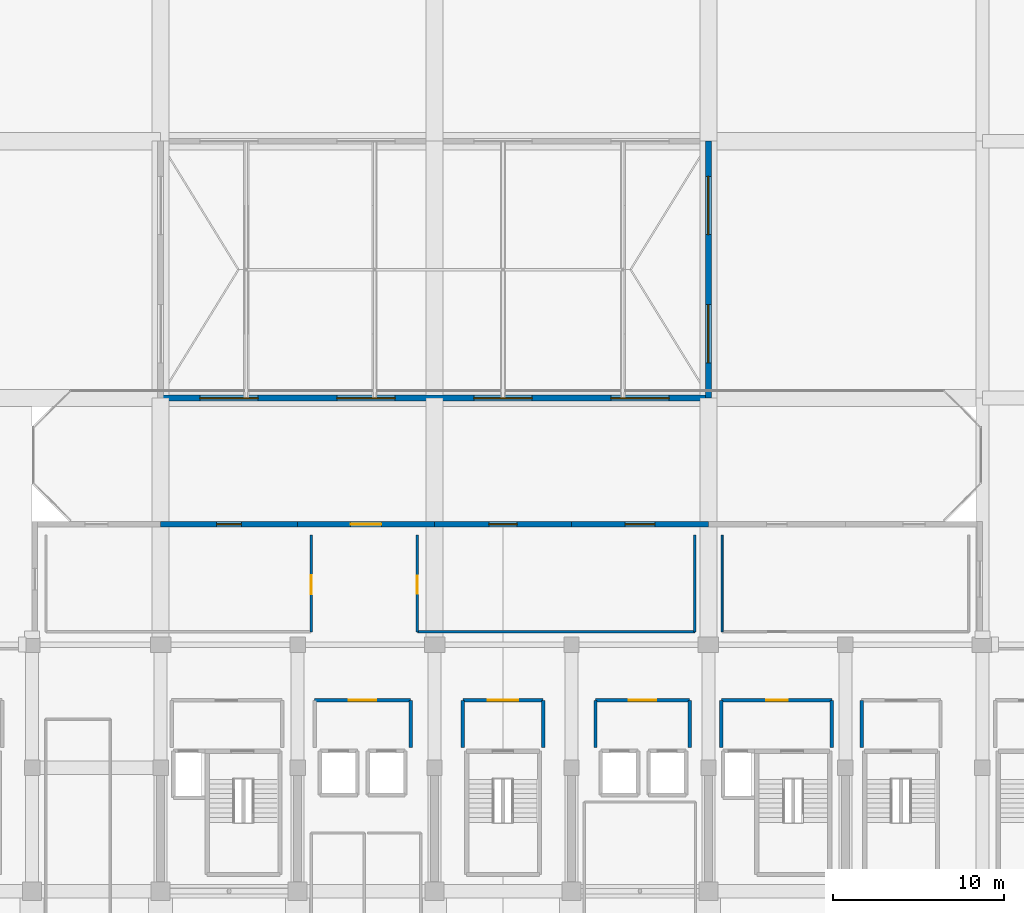
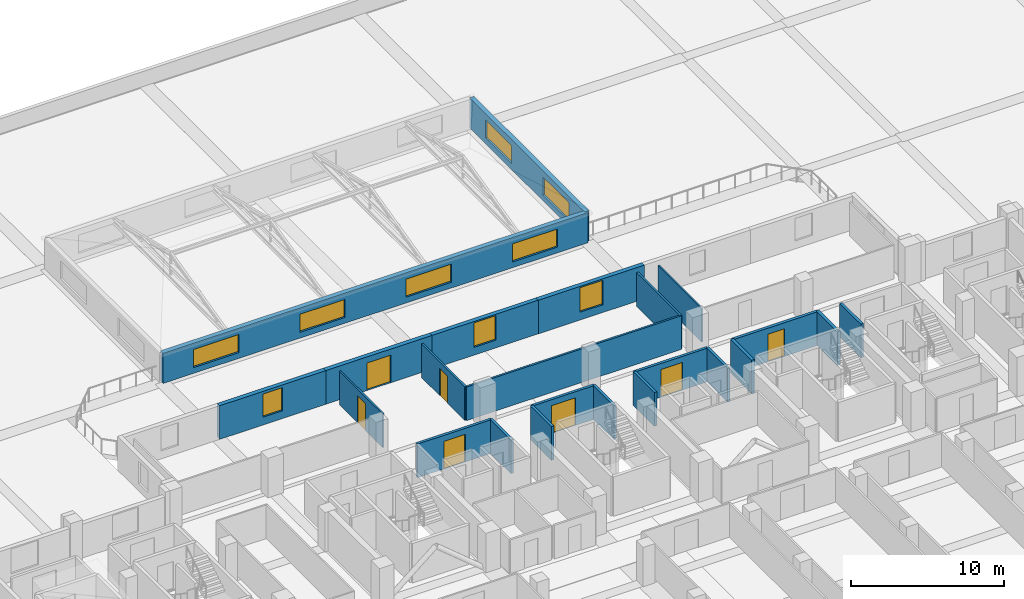
# One storey, part 41 of 49: 23 walls, 9 windows, 7 doors, 16 openings.
"""IFC4 building model written with IfcOpenShell, lengths in metres."""

from ifc_helpers import new_model, si_unit, direction, frame, frame_2d, origin, place, context, subcontext, project, spatial, rectangle, extrude, material, layer, layer_set, type_object, element, fill, save


model = new_model("IFC4")

# Units and contexts
model_context = context("Model", 3, precision=1e-05, world=origin(), true_north=direction((0.0, 1.0)))
body_context = subcontext(model_context, "Body", "Model", "MODEL_VIEW")
ifc_project = project(units=[si_unit("LENGTHUNIT", "METRE"), si_unit("AREAUNIT", "SQUARE_METRE"), si_unit("VOLUMEUNIT", "CUBIC_METRE"), si_unit("PLANEANGLEUNIT", "RADIAN"), si_unit("MASSUNIT", "GRAM", prefix="KILO")], contexts=[model_context])

# Site, building, storey
site_placement = place(None, origin())
site = spatial("IfcSite", under=ifc_project, at=site_placement, CompositionType="ELEMENT")
building_placement = place(site_placement, origin())
building = spatial("IfcBuilding", under=site, at=building_placement, Name="Akrevak Sports Hall", CompositionType="ELEMENT")
storey_placement = place(building_placement, frame((0.0, 0.0, 24.14990234375)))
storey = spatial("IfcBuildingStorey", under=building, at=storey_placement, Name="L04", CompositionType="ELEMENT", Elevation=24.14990234375)

# Wall, opening, window
ifc_material_1 = material(Name="Limestone Ashlar", Category="stone")
ifc_layer_1 = layer(ifc_material_1, 0.070068359375, Name="Limestone Ashlar")
ifc_material_2 = material(Name="Mineral Wool Thermal Insulation", Category="insulation")
ifc_layer_2 = layer(ifc_material_2, 0.090087890625, Name="Mineral Wool Thermal Insulation")
ifc_material_3 = material(Name="Concrete C40/50", Category="concrete")
ifc_layer_3 = layer(ifc_material_3, 0.159912109375, Name="Concrete C40/50")
ifc_layer_set_1 = layer_set([ifc_layer_1, ifc_layer_2, ifc_layer_3], Name="Limestone Ashlar / Mineral Wool Thermal Insulation / Concrete C40/50")
wall_type_1 = type_object("IfcWallType", Name="ARC-WL-EXT-320", PredefinedType="SOLIDWALL", material=ifc_layer_set_1)
wall_1_placement = place(storey_placement, frame((92.0, 76.639892578125, 0.0), z_axis=(0.0, 0.0, 1.0), x_axis=(-1.0, 0.0, 0.0)))
wall_1 = element("IfcWall", 1, at=wall_1_placement, inside=storey, type_object=wall_type_1, Name="Tower Stone Facade Wall L04-N22", PredefinedType="SOLIDWALL", context=body_context, shape_type="SweptSolid", body=[
    extrude(rectangle(XDim=8.0, YDim=0.320068359375, at=frame_2d((4.0, 0.0))), origin(), (0.0, 0.0, 1.0), 2.68017578125),
])
opening_1_placement = place(wall_1_placement, frame((3.125, 0.0, 0.6201171875)))
opening_1 = element("IfcOpeningElement", 2, at=opening_1_placement, cuts=wall_1, Name="Opening WN-15", PredefinedType="OPENING", context=body_context, shape_type="SweptSolid", body=[
    extrude(rectangle(XDim=1.75, YDim=1.949951171875, at=frame_2d((0.875, 0.97509765625))), frame((0.0, 0.171875, 0.0), z_axis=(0.0, -1.0, 0.0), x_axis=(1.0, 0.0, 0.0)), (0.0, 0.0, 1.0), 0.343994140625),
])
ifc_material_4 = material(Name="Thermally Broken Bronze Frame & Double Low-E Glass", Category="glass")
window_type_1 = type_object("IfcWindowType", Name="ARC-WIN-TW-175x195", PartitioningType="SINGLE_PANEL", PredefinedType="WINDOW", material=ifc_material_4)
window_1_placement = place(opening_1_placement, origin())
window_1 = element("IfcWindow", 3, at=window_1_placement, inside=storey, type_object=window_type_1, Name="Tower Window L04-N22", OverallHeight=1.949951171875, OverallWidth=1.75, PartitioningType="SINGLE_PANEL", PredefinedType="WINDOW", context=body_context, shape_type="SweptSolid", body=[
    extrude(rectangle(XDim=1.75, YDim=1.949951171875, at=frame_2d((0.875, 0.97509765625))), frame((0.0, 0.030029296875, 0.0), z_axis=(0.0, -1.0, 0.0), x_axis=(1.0, 0.0, 0.0)), (0.0, 0.0, 1.0), 0.06005859375),
])
fill(opening_1, window_1)

wall_2_placement = place(storey_placement, frame((84.0, 76.639892578125, 0.0), z_axis=(0.0, 0.0, 1.0), x_axis=(-1.0, 0.0, 0.0)))
wall_2 = element("IfcWall", 4, at=wall_2_placement, inside=storey, type_object=wall_type_1, Name="Tower Stone Facade Wall L04-N23", PredefinedType="SOLIDWALL", context=body_context, shape_type="SweptSolid", body=[
    extrude(rectangle(XDim=8.0, YDim=0.320068359375, at=frame_2d((4.0, 0.0))), origin(), (0.0, 0.0, 1.0), 2.68017578125),
])
opening_2_placement = place(wall_2_placement, frame((3.175048828125, 0.0, 0.6201171875)))
opening_2 = element("IfcOpeningElement", 5, at=opening_2_placement, cuts=wall_2, Name="Opening WN-16", PredefinedType="OPENING", context=body_context, shape_type="SweptSolid", body=[
    extrude(rectangle(XDim=1.64990234375, YDim=1.949951171875, at=frame_2d((0.824951171875, 0.97509765625))), frame((0.0, 0.171875, 0.0), z_axis=(0.0, -1.0, 0.0), x_axis=(1.0, 0.0, 0.0)), (0.0, 0.0, 1.0), 0.343994140625),
])
window_type_2 = type_object("IfcWindowType", Name="ARC-WIN-TW-165x195", PartitioningType="SINGLE_PANEL", PredefinedType="WINDOW", material=ifc_material_4)
window_2_placement = place(opening_2_placement, origin())
window_2 = element("IfcWindow", 6, at=window_2_placement, inside=storey, type_object=window_type_2, Name="Tower Window L04-N23", OverallHeight=1.949951171875, OverallWidth=1.64990234375, PartitioningType="SINGLE_PANEL", PredefinedType="WINDOW", context=body_context, shape_type="SweptSolid", body=[
    extrude(rectangle(XDim=1.64990234375, YDim=1.949951171875, at=frame_2d((0.824951171875, 0.97509765625))), frame((0.0, 0.030029296875, 0.0), z_axis=(0.0, -1.0, 0.0), x_axis=(1.0, 0.0, 0.0)), (0.0, 0.0, 1.0), 0.06005859375),
])
fill(opening_2, window_2)

# Wall, opening, door
wall_3_placement = place(storey_placement, frame((76.0, 76.639892578125, 0.0), z_axis=(0.0, 0.0, 1.0), x_axis=(-1.0, 0.0, 0.0)))
wall_3 = element("IfcWall", 7, at=wall_3_placement, inside=storey, type_object=wall_type_1, Name="Tower Stone Facade Wall L04-N24", PredefinedType="SOLIDWALL", context=body_context, shape_type="SweptSolid", body=[
    extrude(rectangle(XDim=8.0, YDim=0.320068359375, at=frame_2d((4.0, 0.0))), origin(), (0.0, 0.0, 1.0), 2.68017578125),
])
opening_3_placement = place(wall_3_placement, frame((3.10009765625, 0.0, 0.0)))
opening_3 = element("IfcOpeningElement", 8, at=opening_3_placement, cuts=wall_3, Name="Opening TD-01", PredefinedType="OPENING", context=body_context, shape_type="SweptSolid", body=[
    extrude(rectangle(XDim=1.800048828125, YDim=2.199951171875, at=frame_2d((0.89990234375, 1.10009765625))), frame((0.0, 0.171875, 0.0), z_axis=(0.0, -1.0, 0.0), x_axis=(1.0, 0.0, 0.0)), (0.0, 0.0, 1.0), 0.343994140625),
])
ifc_material_5 = material(Name="Anodized Bronze Aluminium & Tempered Glass", Category="aluminium")
door_type_1 = type_object("IfcDoorType", Name="ARC-DR-TERR-180x220", OperationType="DOUBLE_DOOR_SINGLE_SWING", PredefinedType="DOOR", material=ifc_material_5)
door_1_placement = place(opening_3_placement, frame((1.800048828125, 0.0, 0.0), z_axis=(0.0, 0.0, 1.0), x_axis=(-1.0, 0.0, 0.0)))
door_1 = element("IfcDoor", 9, at=door_1_placement, inside=storey, type_object=door_type_1, Name="Podium North Park Terrace Door TD-04", OperationType="DOUBLE_DOOR_SINGLE_SWING", OverallHeight=2.199951171875, OverallWidth=1.800048828125, PredefinedType="DOOR", context=body_context, shape_type="SweptSolid", body=[
    extrude(rectangle(XDim=1.800048828125, YDim=2.199951171875, at=frame_2d((0.89990234375, 1.10009765625))), frame((0.0, 0.02490234375, 0.0), z_axis=(0.0, -1.0, 0.0), x_axis=(1.0, 0.0, 0.0)), (0.0, 0.0, 1.0), 0.050048828125),
])
fill(opening_3, door_1)

# Wall, opening, window
wall_4_placement = place(storey_placement, frame((68.0, 76.639892578125, 0.0), z_axis=(0.0, 0.0, 1.0), x_axis=(-1.0, 0.0, 0.0)))
wall_4 = element("IfcWall", 10, at=wall_4_placement, inside=storey, type_object=wall_type_1, Name="Tower Stone Facade Wall L04-N25", PredefinedType="SOLIDWALL", context=body_context, shape_type="SweptSolid", body=[
    extrude(rectangle(XDim=8.0, YDim=0.320068359375, at=frame_2d((4.0, 0.0))), origin(), (0.0, 0.0, 1.0), 2.68017578125),
])
opening_4_placement = place(wall_4_placement, frame((3.27490234375, 0.0, 0.6201171875)))
opening_4 = element("IfcOpeningElement", 11, at=opening_4_placement, cuts=wall_4, Name="Opening WN-18", PredefinedType="OPENING", context=body_context, shape_type="SweptSolid", body=[
    extrude(rectangle(XDim=1.449951171875, YDim=1.85009765625, at=frame_2d((0.72509765625, 0.925048828125))), frame((0.0, 0.171875, 0.0), z_axis=(0.0, -1.0, 0.0), x_axis=(1.0, 0.0, 0.0)), (0.0, 0.0, 1.0), 0.343994140625),
])
window_type_3 = type_object("IfcWindowType", Name="ARC-WIN-TW-145x185", PartitioningType="SINGLE_PANEL", PredefinedType="WINDOW", material=ifc_material_4)
window_3_placement = place(opening_4_placement, origin())
window_3 = element("IfcWindow", 12, at=window_3_placement, inside=storey, type_object=window_type_3, Name="Tower Window L04-N25", OverallHeight=1.85009765625, OverallWidth=1.449951171875, PartitioningType="SINGLE_PANEL", PredefinedType="WINDOW", context=body_context, shape_type="SweptSolid", body=[
    extrude(rectangle(XDim=1.449951171875, YDim=1.85009765625, at=frame_2d((0.72509765625, 0.925048828125))), frame((0.0, 0.030029296875, 0.0), z_axis=(0.0, -1.0, 0.0), x_axis=(1.0, 0.0, 0.0)), (0.0, 0.0, 1.0), 0.06005859375),
])
fill(opening_4, window_3)

# Wall, openings, windows
ifc_layer_4 = layer(ifc_material_1, 0.070068359375, Name="Limestone Ashlar")
ifc_layer_5 = layer(ifc_material_2, 0.10009765625, Name="Mineral Wool Thermal Insulation")
ifc_layer_6 = layer(ifc_material_3, 0.169921875, Name="Concrete C40/50")
ifc_layer_set_2 = layer_set([ifc_layer_4, ifc_layer_5, ifc_layer_6], Name="Limestone Ashlar / Mineral Wool Thermal Insulation / Concrete C40/50")
wall_type_2 = type_object("IfcWallType", Name="ARC-WL-EXT-340", PredefinedType="SOLIDWALL", material=ifc_layer_set_2)
wall_5_placement = place(storey_placement, frame((60.0, 84.0, 0.0), z_axis=(0.0, 0.0, 1.0), x_axis=(1.0, 0.0, 0.0)))
wall_5 = element("IfcWall", 13, at=wall_5_placement, inside=storey, type_object=wall_type_2, Name="North Athletes Hall Clerestory Monitor S Wall", PredefinedType="SOLIDWALL", context=body_context, shape_type="SweptSolid", body=[
    extrude(rectangle(XDim=32.0, YDim=0.340087890625, at=frame_2d((16.0, 0.0))), origin(), (0.0, 0.0, 1.0), 2.400146484375),
])
opening_5_placement = place(wall_5_placement, frame((2.300048828125, 0.0, 0.4599609375)))
opening_5 = element("IfcOpeningElement", 14, at=opening_5_placement, cuts=wall_5, Name="Opening WN-61", PredefinedType="OPENING", context=body_context, shape_type="SweptSolid", body=[
    extrude(rectangle(XDim=3.39990234375, YDim=1.43994140625, at=frame_2d((1.699951171875, 0.719970703125))), frame((0.0, 0.18212890625, 0.0), z_axis=(0.0, -1.0, 0.0), x_axis=(1.0, 0.0, 0.0)), (0.0, 0.0, 1.0), 0.364013671875),
])
opening_6_placement = place(wall_5_placement, frame((10.300048828125, 0.0, 0.4599609375)))
opening_6 = element("IfcOpeningElement", 15, at=opening_6_placement, cuts=wall_5, Name="Opening WN-61", PredefinedType="OPENING", context=body_context, shape_type="SweptSolid", body=[
    extrude(rectangle(XDim=3.39990234375, YDim=1.43994140625, at=frame_2d((1.699951171875, 0.719970703125))), frame((0.0, 0.18212890625, 0.0), z_axis=(0.0, -1.0, 0.0), x_axis=(1.0, 0.0, 0.0)), (0.0, 0.0, 1.0), 0.364013671875),
])
opening_7_placement = place(wall_5_placement, frame((18.300048828125, 0.0, 0.4599609375)))
opening_7 = element("IfcOpeningElement", 16, at=opening_7_placement, cuts=wall_5, Name="Opening WN-61", PredefinedType="OPENING", context=body_context, shape_type="SweptSolid", body=[
    extrude(rectangle(XDim=3.39990234375, YDim=1.43994140625, at=frame_2d((1.699951171875, 0.719970703125))), frame((0.0, 0.18212890625, 0.0), z_axis=(0.0, -1.0, 0.0), x_axis=(1.0, 0.0, 0.0)), (0.0, 0.0, 1.0), 0.364013671875),
])
opening_8_placement = place(wall_5_placement, frame((26.300048828125, 0.0, 0.4599609375)))
opening_8 = element("IfcOpeningElement", 17, at=opening_8_placement, cuts=wall_5, Name="Opening WN-61", PredefinedType="OPENING", context=body_context, shape_type="SweptSolid", body=[
    extrude(rectangle(XDim=3.39990234375, YDim=1.43994140625, at=frame_2d((1.699951171875, 0.719970703125))), frame((0.0, 0.18212890625, 0.0), z_axis=(0.0, -1.0, 0.0), x_axis=(1.0, 0.0, 0.0)), (0.0, 0.0, 1.0), 0.364013671875),
])
window_type_4 = type_object("IfcWindowType", Name="ARC-WIN-SZ-3400x1440", PartitioningType="SINGLE_PANEL", PredefinedType="WINDOW", material=ifc_material_4)
window_4_placement = place(opening_5_placement, origin())
window_4 = element("IfcWindow", 18, at=window_4_placement, inside=storey, type_object=window_type_4, Name="North Athletes Hall Clerestory Monitor Clerestory Window S.1", OverallHeight=1.43994140625, OverallWidth=3.39990234375, PartitioningType="SINGLE_PANEL", PredefinedType="WINDOW", context=body_context, shape_type="SweptSolid", body=[
    extrude(rectangle(XDim=3.39990234375, YDim=1.43994140625, at=frame_2d((1.699951171875, 0.719970703125))), frame((0.0, 0.030029296875, 0.0), z_axis=(0.0, -1.0, 0.0), x_axis=(1.0, 0.0, 0.0)), (0.0, 0.0, 1.0), 0.06005859375),
])
fill(opening_5, window_4)
window_5_placement = place(opening_6_placement, origin())
window_5 = element("IfcWindow", 19, at=window_5_placement, inside=storey, type_object=window_type_4, Name="North Athletes Hall Clerestory Monitor Clerestory Window S.2", OverallHeight=1.43994140625, OverallWidth=3.39990234375, PartitioningType="SINGLE_PANEL", PredefinedType="WINDOW", context=body_context, shape_type="SweptSolid", body=[
    extrude(rectangle(XDim=3.39990234375, YDim=1.43994140625, at=frame_2d((1.699951171875, 0.719970703125))), frame((0.0, 0.030029296875, 0.0), z_axis=(0.0, -1.0, 0.0), x_axis=(1.0, 0.0, 0.0)), (0.0, 0.0, 1.0), 0.06005859375),
])
fill(opening_6, window_5)
window_6_placement = place(opening_7_placement, origin())
window_6 = element("IfcWindow", 20, at=window_6_placement, inside=storey, type_object=window_type_4, Name="North Athletes Hall Clerestory Monitor Clerestory Window S.3", OverallHeight=1.43994140625, OverallWidth=3.39990234375, PartitioningType="SINGLE_PANEL", PredefinedType="WINDOW", context=body_context, shape_type="SweptSolid", body=[
    extrude(rectangle(XDim=3.39990234375, YDim=1.43994140625, at=frame_2d((1.699951171875, 0.719970703125))), frame((0.0, 0.030029296875, 0.0), z_axis=(0.0, -1.0, 0.0), x_axis=(1.0, 0.0, 0.0)), (0.0, 0.0, 1.0), 0.06005859375),
])
fill(opening_7, window_6)
window_7_placement = place(opening_8_placement, origin())
window_7 = element("IfcWindow", 21, at=window_7_placement, inside=storey, type_object=window_type_4, Name="North Athletes Hall Clerestory Monitor Clerestory Window S.4", OverallHeight=1.43994140625, OverallWidth=3.39990234375, PartitioningType="SINGLE_PANEL", PredefinedType="WINDOW", context=body_context, shape_type="SweptSolid", body=[
    extrude(rectangle(XDim=3.39990234375, YDim=1.43994140625, at=frame_2d((1.699951171875, 0.719970703125))), frame((0.0, 0.030029296875, 0.0), z_axis=(0.0, -1.0, 0.0), x_axis=(1.0, 0.0, 0.0)), (0.0, 0.0, 1.0), 0.06005859375),
])
fill(opening_8, window_7)

wall_6_placement = place(storey_placement, frame((92.0, 84.0, 0.0), z_axis=(0.0, 0.0, 1.0), x_axis=(0.0, 1.0, 0.0)))
wall_6 = element("IfcWall", 22, at=wall_6_placement, inside=storey, type_object=wall_type_2, Name="North Athletes Hall Clerestory Monitor E Wall", PredefinedType="SOLIDWALL", context=body_context, shape_type="SweptSolid", body=[
    extrude(rectangle(XDim=15.0, YDim=0.340087890625, at=frame_2d((7.5, 0.0))), origin(), (0.0, 0.0, 1.0), 2.400146484375),
])
opening_9_placement = place(wall_6_placement, frame((2.050048828125, 0.0, 0.4599609375)))
opening_9 = element("IfcOpeningElement", 23, at=opening_9_placement, cuts=wall_6, Name="Opening WN-61", PredefinedType="OPENING", context=body_context, shape_type="SweptSolid", body=[
    extrude(rectangle(XDim=3.39990234375, YDim=1.43994140625, at=frame_2d((1.699951171875, 0.719970703125))), frame((0.0, 0.18212890625, 0.0), z_axis=(0.0, -1.0, 0.0), x_axis=(1.0, 0.0, 0.0)), (0.0, 0.0, 1.0), 0.364013671875),
])
opening_10_placement = place(wall_6_placement, frame((9.550048828125, 0.0, 0.4599609375)))
opening_10 = element("IfcOpeningElement", 24, at=opening_10_placement, cuts=wall_6, Name="Opening WN-61", PredefinedType="OPENING", context=body_context, shape_type="SweptSolid", body=[
    extrude(rectangle(XDim=3.39990234375, YDim=1.43994140625, at=frame_2d((1.699951171875, 0.719970703125))), frame((0.0, 0.18212890625, 0.0), z_axis=(0.0, -1.0, 0.0), x_axis=(1.0, 0.0, 0.0)), (0.0, 0.0, 1.0), 0.364013671875),
])
window_8_placement = place(opening_9_placement, origin())
window_8 = element("IfcWindow", 25, at=window_8_placement, inside=storey, type_object=window_type_4, Name="North Athletes Hall Clerestory Monitor Clerestory Window E.1", OverallHeight=1.43994140625, OverallWidth=3.39990234375, PartitioningType="SINGLE_PANEL", PredefinedType="WINDOW", context=body_context, shape_type="SweptSolid", body=[
    extrude(rectangle(XDim=3.39990234375, YDim=1.43994140625, at=frame_2d((1.699951171875, 0.719970703125))), frame((0.0, 0.030029296875, 0.0), z_axis=(0.0, -1.0, 0.0), x_axis=(1.0, 0.0, 0.0)), (0.0, 0.0, 1.0), 0.06005859375),
])
fill(opening_9, window_8)
window_9_placement = place(opening_10_placement, origin())
window_9 = element("IfcWindow", 26, at=window_9_placement, inside=storey, type_object=window_type_4, Name="North Athletes Hall Clerestory Monitor Clerestory Window E.2", OverallHeight=1.43994140625, OverallWidth=3.39990234375, PartitioningType="SINGLE_PANEL", PredefinedType="WINDOW", context=body_context, shape_type="SweptSolid", body=[
    extrude(rectangle(XDim=3.39990234375, YDim=1.43994140625, at=frame_2d((1.699951171875, 0.719970703125))), frame((0.0, 0.030029296875, 0.0), z_axis=(0.0, -1.0, 0.0), x_axis=(1.0, 0.0, 0.0)), (0.0, 0.0, 1.0), 0.06005859375),
])
fill(opening_10, window_9)

# Wall
ifc_material_6 = material(Name="Lightweight Office Partition", Category="gypsum")
ifc_layer_7 = layer(ifc_material_6, 0.110107421875, Name="Lightweight Office Partition")
ifc_layer_set_3 = layer_set([ifc_layer_7], Name="Lightweight Office Partition")
wall_type_3 = type_object("IfcWallType", Name="ARC-WL-PRT-110", PredefinedType="PARTITIONING", material=ifc_layer_set_3)
wall_7_placement = place(storey_placement, frame((92.800048828125, 70.35009765625, 0.0), z_axis=(0.0, 0.0, 1.0), x_axis=(0.0, 1.0, 0.0)))
element("IfcWall", 27, at=wall_7_placement, inside=storey, type_object=wall_type_3, Name="Interior Partition Sports Medicine Advisory Office L04 (W)", PredefinedType="PARTITIONING", context=body_context, shape_type="SweptSolid", body=[
    extrude(rectangle(XDim=5.64990234375, YDim=0.110107421875, at=frame_2d((2.824951171875, 0.0))), origin(), (0.0, 0.0, 1.0), 2.68017578125),
])

# Wall, opening, door
ifc_material_7 = material(Name="Standard Metal Stud Partition", Category="gypsum")
ifc_layer_8 = layer(ifc_material_7, 0.1201171875, Name="Standard Metal Stud Partition")
ifc_layer_set_4 = layer_set([ifc_layer_8], Name="Standard Metal Stud Partition")
wall_type_4 = type_object("IfcWallType", Name="ARC-WL-PRT-120", PredefinedType="PARTITIONING", material=ifc_layer_set_4)
wall_8_placement = place(storey_placement, frame((68.800048828125, 70.35009765625, 0.0), z_axis=(0.0, 0.0, 1.0), x_axis=(0.0, 1.0, 0.0)))
wall_8 = element("IfcWall", 28, at=wall_8_placement, inside=storey, type_object=wall_type_4, Name="Interior Partition Federation Protocol Office L04-1 (E)", PredefinedType="PARTITIONING", context=body_context, shape_type="SweptSolid", body=[
    extrude(rectangle(XDim=5.64990234375, YDim=0.1201171875, at=frame_2d((2.824951171875, 0.0))), origin(), (0.0, 0.0, 1.0), 2.68017578125),
])
opening_11_placement = place(wall_8_placement, frame((2.199951171875, 0.0, 0.0)))
opening_11 = element("IfcOpeningElement", 29, at=opening_11_placement, cuts=wall_8, Name="Opening ID-04", PredefinedType="OPENING", context=body_context, shape_type="SweptSolid", body=[
    extrude(rectangle(XDim=1.10009765625, YDim=2.14990234375, at=frame_2d((0.550048828125, 1.074951171875))), frame((0.0, 0.072021484375, 0.0), z_axis=(0.0, -1.0, 0.0), x_axis=(1.0, 0.0, 0.0)), (0.0, 0.0, 1.0), 0.14404296875),
])
ifc_material_8 = material(Name="Hardwood Oak Acoustic Leaf", Category="wood")
door_type_2 = type_object("IfcDoorType", Name="ARC-DR-OFF-110x215", OperationType="NOTDEFINED", PredefinedType="DOOR", material=ifc_material_8)
door_2_placement = place(opening_11_placement, origin())
door_2 = element("IfcDoor", 30, at=door_2_placement, inside=storey, type_object=door_type_2, Name="Door to Federation Protocol Office L04-1", OperationType="SINGLE_SWING_LEFT", OverallHeight=2.14990234375, OverallWidth=1.10009765625, PredefinedType="DOOR", context=body_context, shape_type="SweptSolid", body=[
    extrude(rectangle(XDim=1.10009765625, YDim=2.14990234375, at=frame_2d((0.550048828125, 1.074951171875))), frame((0.0, 0.02490234375, 0.0), z_axis=(0.0, -1.0, 0.0), x_axis=(1.0, 0.0, 0.0)), (0.0, 0.0, 1.0), 0.050048828125),
])
fill(opening_11, door_2)

# Wall
ifc_material_9 = material(Name="Double Stud Acoustic Gypsum Partition", Category="gypsum")
ifc_layer_9 = layer(ifc_material_9, 0.14990234375, Name="Double Stud Acoustic Gypsum Partition")
ifc_layer_set_5 = layer_set([ifc_layer_9], Name="Double Stud Acoustic Gypsum Partition")
wall_type_5 = type_object("IfcWallType", Name="ARC-WL-PRT-150", PredefinedType="PARTITIONING", material=ifc_layer_set_5)
wall_9_placement = place(storey_placement, frame((75.0, 70.35009765625, 0.0), z_axis=(0.0, 0.0, 1.0), x_axis=(1.0, 0.0, 0.0)))
element("IfcWall", 31, at=wall_9_placement, inside=storey, type_object=wall_type_5, Name="Interior Partition Federation Protocol Office L04-2 (S)", PredefinedType="PARTITIONING", context=body_context, shape_type="SweptSolid", body=[
    extrude(rectangle(XDim=16.199951171875, YDim=0.14990234375, at=frame_2d((8.10009765625, 0.0))), origin(), (0.0, 0.0, 1.0), 2.68017578125),
])

# Wall, opening, door
wall_10_placement = place(storey_placement, frame((75.0, 70.35009765625, 0.0), z_axis=(0.0, 0.0, 1.0), x_axis=(0.0, 1.0, 0.0)))
wall_10 = element("IfcWall", 32, at=wall_10_placement, inside=storey, type_object=wall_type_5, Name="Interior Partition Federation Protocol Office L04-2 (W)", PredefinedType="PARTITIONING", context=body_context, shape_type="SweptSolid", body=[
    extrude(rectangle(XDim=5.64990234375, YDim=0.14990234375, at=frame_2d((2.824951171875, 0.0))), origin(), (0.0, 0.0, 1.0), 2.68017578125),
])
opening_12_placement = place(wall_10_placement, frame((2.22509765625, 0.0, 0.0)))
opening_12 = element("IfcOpeningElement", 33, at=opening_12_placement, cuts=wall_10, Name="Opening ID-05", PredefinedType="OPENING", context=body_context, shape_type="SweptSolid", body=[
    extrude(rectangle(XDim=1.050048828125, YDim=2.14990234375, at=frame_2d((0.52490234375, 1.074951171875))), frame((0.0, 0.0869140625, 0.0), z_axis=(0.0, -1.0, 0.0), x_axis=(1.0, 0.0, 0.0)), (0.0, 0.0, 1.0), 0.173828125),
])
door_type_3 = type_object("IfcDoorType", Name="ARC-DR-OFF-105x215", OperationType="NOTDEFINED", PredefinedType="DOOR", material=ifc_material_8)
door_3_placement = place(opening_12_placement, frame((1.050048828125, 0.0, 0.0), z_axis=(0.0, 0.0, 1.0), x_axis=(-1.0, 0.0, 0.0)))
door_3 = element("IfcDoor", 34, at=door_3_placement, inside=storey, type_object=door_type_3, Name="Door to Federation Protocol Office L04-2", OperationType="SINGLE_SWING_RIGHT", OverallHeight=2.14990234375, OverallWidth=1.050048828125, PredefinedType="DOOR", context=body_context, shape_type="SweptSolid", body=[
    extrude(rectangle(XDim=1.050048828125, YDim=2.14990234375, at=frame_2d((0.52490234375, 1.074951171875))), frame((0.0, 0.02490234375, 0.0), z_axis=(0.0, -1.0, 0.0), x_axis=(1.0, 0.0, 0.0)), (0.0, 0.0, 1.0), 0.050048828125),
])
fill(opening_12, door_3)

# Walls
wall_11_placement = place(storey_placement, frame((91.199951171875, 70.35009765625, 0.0), z_axis=(0.0, 0.0, 1.0), x_axis=(0.0, 1.0, 0.0)))
element("IfcWall", 35, at=wall_11_placement, inside=storey, type_object=wall_type_5, Name="Interior Partition Federation Protocol Office L04-2 (E)", PredefinedType="PARTITIONING", context=body_context, shape_type="SweptSolid", body=[
    extrude(rectangle(XDim=5.64990234375, YDim=0.14990234375, at=frame_2d((2.824951171875, 0.0))), origin(), (0.0, 0.0, 1.0), 2.68017578125),
])
ifc_material_10 = material(Name="Autoclaved Aerated Masonry Block", Category="masonry")
ifc_layer_10 = layer(ifc_material_10, 0.199951171875, Name="Autoclaved Aerated Masonry Block")
ifc_layer_set_6 = layer_set([ifc_layer_10], Name="Autoclaved Aerated Masonry Block")
wall_type_6 = type_object("IfcWallType", Name="ARC-WL-PRT-200", PredefinedType="PARTITIONING", material=ifc_layer_set_6)
wall_12_placement = place(storey_placement, frame((100.949951171875, 63.60009765625, 0.0), z_axis=(0.0, 0.0, 1.0), x_axis=(0.0, 1.0, 0.0)))
element("IfcWall", 36, at=wall_12_placement, inside=storey, type_object=wall_type_6, Name="Interior Partition East Wing Stair ST10 Vestibule L04 (W)", PredefinedType="PARTITIONING", context=body_context, shape_type="SweptSolid", body=[
    extrude(rectangle(XDim=2.75, YDim=0.199951171875, at=frame_2d((1.375, 0.0))), origin(), (0.0, 0.0, 1.0), 2.68017578125),
])

# Wall, opening, door
wall_13_placement = place(storey_placement, frame((69.0, 66.35009765625, 0.0), z_axis=(0.0, 0.0, 1.0), x_axis=(1.0, 0.0, 0.0)))
wall_13 = element("IfcWall", 37, at=wall_13_placement, inside=storey, type_object=wall_type_6, Name="Interior Partition West Passenger Lift Lobby L04 (N)", PredefinedType="PARTITIONING", context=body_context, shape_type="SweptSolid", body=[
    extrude(rectangle(XDim=5.60009765625, YDim=0.199951171875, at=frame_2d((2.800048828125, 0.0))), origin(), (0.0, 0.0, 1.0), 2.68017578125),
])
opening_13_placement = place(wall_13_placement, frame((2.0, 0.0, 0.0)))
opening_13 = element("IfcOpeningElement", 38, at=opening_13_placement, cuts=wall_13, Name="Opening ID-03", PredefinedType="OPENING", context=body_context, shape_type="SweptSolid", body=[
    extrude(rectangle(XDim=1.60009765625, YDim=2.199951171875, at=frame_2d((0.800048828125, 1.10009765625))), frame((0.0, 0.11181640625, 0.0), z_axis=(0.0, -1.0, 0.0), x_axis=(1.0, 0.0, 0.0)), (0.0, 0.0, 1.0), 0.223876953125),
])
ifc_material_11 = material(Name="Hardwood Oak & Safety Glass", Category="wood")
door_type_4 = type_object("IfcDoorType", Name="ARC-DR-HALL-160x220", OperationType="DOUBLE_DOOR_SINGLE_SWING", PredefinedType="DOOR", material=ifc_material_11)
door_4_placement = place(opening_13_placement, origin())
door_4 = element("IfcDoor", 39, at=door_4_placement, inside=storey, type_object=door_type_4, Name="Door to West Passenger Lift Lobby L04", OperationType="DOUBLE_DOOR_SINGLE_SWING", OverallHeight=2.199951171875, OverallWidth=1.60009765625, PredefinedType="DOOR", context=body_context, shape_type="SweptSolid", body=[
    extrude(rectangle(XDim=1.60009765625, YDim=2.199951171875, at=frame_2d((0.800048828125, 1.10009765625))), frame((0.0, 0.02490234375, 0.0), z_axis=(0.0, -1.0, 0.0), x_axis=(1.0, 0.0, 0.0)), (0.0, 0.0, 1.0), 0.050048828125),
])
fill(opening_13, door_4)

# Wall
wall_14_placement = place(storey_placement, frame((74.60009765625, 63.60009765625, 0.0), z_axis=(0.0, 0.0, 1.0), x_axis=(0.0, 1.0, 0.0)))
element("IfcWall", 40, at=wall_14_placement, inside=storey, type_object=wall_type_6, Name="Interior Partition West Passenger Lift Lobby L04 (E)", PredefinedType="PARTITIONING", context=body_context, shape_type="SweptSolid", body=[
    extrude(rectangle(XDim=2.75, YDim=0.199951171875, at=frame_2d((1.375, 0.0))), origin(), (0.0, 0.0, 1.0), 2.68017578125),
])

# Wall, opening, door
wall_15_placement = place(storey_placement, frame((85.39990234375, 66.35009765625, 0.0), z_axis=(0.0, 0.0, 1.0), x_axis=(1.0, 0.0, 0.0)))
wall_15 = element("IfcWall", 41, at=wall_15_placement, inside=storey, type_object=wall_type_6, Name="Interior Partition East Passenger Lift Lobby L04 (N)", PredefinedType="PARTITIONING", context=body_context, shape_type="SweptSolid", body=[
    extrude(rectangle(XDim=5.5, YDim=0.199951171875, at=frame_2d((2.75, 0.0))), origin(), (0.0, 0.0, 1.0), 2.68017578125),
])
opening_14_placement = place(wall_15_placement, frame((1.949951171875, 0.0, 0.0)))
opening_14 = element("IfcOpeningElement", 42, at=opening_14_placement, cuts=wall_15, Name="Opening ID-03", PredefinedType="OPENING", context=body_context, shape_type="SweptSolid", body=[
    extrude(rectangle(XDim=1.60009765625, YDim=2.199951171875, at=frame_2d((0.800048828125, 1.10009765625))), frame((0.0, 0.11181640625, 0.0), z_axis=(0.0, -1.0, 0.0), x_axis=(1.0, 0.0, 0.0)), (0.0, 0.0, 1.0), 0.223876953125),
])
door_5_placement = place(opening_14_placement, origin())
door_5 = element("IfcDoor", 43, at=door_5_placement, inside=storey, type_object=door_type_4, Name="Door to East Passenger Lift Lobby L04", OperationType="DOUBLE_DOOR_SINGLE_SWING", OverallHeight=2.199951171875, OverallWidth=1.60009765625, PredefinedType="DOOR", context=body_context, shape_type="SweptSolid", body=[
    extrude(rectangle(XDim=1.60009765625, YDim=2.199951171875, at=frame_2d((0.800048828125, 1.10009765625))), frame((0.0, 0.02490234375, 0.0), z_axis=(0.0, -1.0, 0.0), x_axis=(1.0, 0.0, 0.0)), (0.0, 0.0, 1.0), 0.050048828125),
])
fill(opening_14, door_5)

# Walls
for number, where, z_axis, x_axis, name in (
    (44, (85.39990234375, 63.60009765625, 0.0), (0.0, 0.0, 1.0), (0.0, 1.0, 0.0), "Interior Partition East Passenger Lift Lobby L04 (W)"),
    (45, (90.89990234375, 63.60009765625, 0.0), (0.0, 0.0, 1.0), (0.0, 1.0, 0.0), "Interior Partition East Passenger Lift Lobby L04 (E)"),
):
    element("IfcWall", number, at=place(storey_placement, frame(where, z_axis=z_axis, x_axis=x_axis)), inside=storey, type_object=wall_type_6, Name=name, PredefinedType="PARTITIONING", context=body_context, shape_type="SweptSolid", body=[
        extrude(rectangle(XDim=2.75, YDim=0.199951171875, at=frame_2d((1.375, 0.0))), origin(), (0.0, 0.0, 1.0), 2.68017578125),
    ])

# Wall, opening, door
wall_16_placement = place(storey_placement, frame((77.64990234375, 66.35009765625, 0.0), z_axis=(0.0, 0.0, 1.0), x_axis=(1.0, 0.0, 0.0)))
wall_16 = element("IfcWall", 46, at=wall_16_placement, inside=storey, type_object=wall_type_6, Name="Interior Partition Central Stair ST3 Vestibule L04 (N)", PredefinedType="PARTITIONING", context=body_context, shape_type="SweptSolid", body=[
    extrude(rectangle(XDim=4.7001953125, YDim=0.199951171875, at=frame_2d((2.35009765625, 0.0))), origin(), (0.0, 0.0, 1.0), 2.68017578125),
])
opening_15_placement = place(wall_16_placement, frame((1.449951171875, 0.0, 0.0)))
opening_15 = element("IfcOpeningElement", 47, at=opening_15_placement, cuts=wall_16, Name="Opening FD-02", PredefinedType="OPENING", context=body_context, shape_type="SweptSolid", body=[
    extrude(rectangle(XDim=1.800048828125, YDim=2.199951171875, at=frame_2d((0.89990234375, 1.10009765625))), frame((0.0, 0.11181640625, 0.0), z_axis=(0.0, -1.0, 0.0), x_axis=(1.0, 0.0, 0.0)), (0.0, 0.0, 1.0), 0.223876953125),
])
ifc_material_12 = material(Name="Fire-Rated Galvanized Door Steel", Category="steel")
door_type_5 = type_object("IfcDoorType", Name="ARC-DR-FIRE-180x220", OperationType="DOUBLE_DOOR_SINGLE_SWING", PredefinedType="DOOR", material=ifc_material_12)
door_6_placement = place(opening_15_placement, frame((1.800048828125, 0.0, 0.0), z_axis=(0.0, 0.0, 1.0), x_axis=(-1.0, 0.0, 0.0)))
door_6 = element("IfcDoor", 48, at=door_6_placement, inside=storey, type_object=door_type_5, Name="Door to Central Stair ST3 Vestibule L04", OperationType="DOUBLE_DOOR_SINGLE_SWING", OverallHeight=2.199951171875, OverallWidth=1.800048828125, PredefinedType="DOOR", context=body_context, shape_type="SweptSolid", body=[
    extrude(rectangle(XDim=1.800048828125, YDim=2.199951171875, at=frame_2d((0.89990234375, 1.10009765625))), frame((0.0, 0.02490234375, 0.0), z_axis=(0.0, -1.0, 0.0), x_axis=(1.0, 0.0, 0.0)), (0.0, 0.0, 1.0), 0.050048828125),
])
fill(opening_15, door_6)

# Walls
for number, where, z_axis, x_axis, name in (
    (49, (77.64990234375, 63.60009765625, 0.0), (0.0, 0.0, 1.0), (0.0, 1.0, 0.0), "Interior Partition Central Stair ST3 Vestibule L04 (W)"),
    (50, (82.35009765625, 63.60009765625, 0.0), (0.0, 0.0, 1.0), (0.0, 1.0, 0.0), "Interior Partition Central Stair ST3 Vestibule L04 (E)"),
):
    element("IfcWall", number, at=place(storey_placement, frame(where, z_axis=z_axis, x_axis=x_axis)), inside=storey, type_object=wall_type_6, Name=name, PredefinedType="PARTITIONING", context=body_context, shape_type="SweptSolid", body=[
        extrude(rectangle(XDim=2.75, YDim=0.199951171875, at=frame_2d((1.375, 0.0))), origin(), (0.0, 0.0, 1.0), 2.68017578125),
    ])

# Wall, opening, door
ifc_layer_11 = layer(ifc_material_3, 0.219970703125, Name="Concrete C40/50")
ifc_layer_set_7 = layer_set([ifc_layer_11], Name="Concrete C40/50")
wall_type_7 = type_object("IfcWallType", Name="ARC-WL-PRT-220", PredefinedType="PARTITIONING", material=ifc_layer_set_7)
wall_17_placement = place(storey_placement, frame((92.75, 66.35009765625, 0.0), z_axis=(0.0, 0.0, 1.0), x_axis=(1.0, 0.0, 0.0)))
wall_17 = element("IfcWall", 51, at=wall_17_placement, inside=storey, type_object=wall_type_7, Name="Interior Partition Firefighting Lobby East L04 (N)", PredefinedType="PARTITIONING", context=body_context, shape_type="SweptSolid", body=[
    extrude(rectangle(XDim=6.449951171875, YDim=0.219970703125, at=frame_2d((3.22509765625, 0.0))), origin(), (0.0, 0.0, 1.0), 2.68017578125),
])
opening_16_placement = place(wall_17_placement, frame((2.625, 0.0, 0.0)))
opening_16 = element("IfcOpeningElement", 52, at=opening_16_placement, cuts=wall_17, Name="Opening FD-01", PredefinedType="OPENING", context=body_context, shape_type="SweptSolid", body=[
    extrude(rectangle(XDim=1.25, YDim=2.199951171875, at=frame_2d((0.625, 1.10009765625))), frame((0.0, 0.1220703125, 0.0), z_axis=(0.0, -1.0, 0.0), x_axis=(1.0, 0.0, 0.0)), (0.0, 0.0, 1.0), 0.243896484375),
])
door_type_6 = type_object("IfcDoorType", Name="ARC-DR-FFL-125x220", OperationType="NOTDEFINED", PredefinedType="DOOR", material=ifc_material_12)
door_7_placement = place(opening_16_placement, frame((1.25, 0.0, 0.0), z_axis=(0.0, 0.0, 1.0), x_axis=(-1.0, 0.0, 0.0)))
door_7 = element("IfcDoor", 53, at=door_7_placement, inside=storey, type_object=door_type_6, Name="Door to Firefighting Lobby East L04", OperationType="SINGLE_SWING_LEFT", OverallHeight=2.199951171875, OverallWidth=1.25, PredefinedType="DOOR", context=body_context, shape_type="SweptSolid", body=[
    extrude(rectangle(XDim=1.25, YDim=2.199951171875, at=frame_2d((0.625, 1.10009765625))), frame((0.0, 0.02490234375, 0.0), z_axis=(0.0, -1.0, 0.0), x_axis=(1.0, 0.0, 0.0)), (0.0, 0.0, 1.0), 0.050048828125),
])
fill(opening_16, door_7)

# Walls
for number, where, z_axis, x_axis, name in (
    (54, (92.75, 63.60009765625, 0.0), (0.0, 0.0, 1.0), (0.0, 1.0, 0.0), "Interior Partition Firefighting Lobby East L04 (W)"),
    (55, (99.199951171875, 63.60009765625, 0.0), (0.0, 0.0, 1.0), (0.0, 1.0, 0.0), "Interior Partition Firefighting Lobby East L04 (E)"),
):
    element("IfcWall", number, at=place(storey_placement, frame(where, z_axis=z_axis, x_axis=x_axis)), inside=storey, type_object=wall_type_7, Name=name, PredefinedType="PARTITIONING", context=body_context, shape_type="SweptSolid", body=[
        extrude(rectangle(XDim=2.75, YDim=0.219970703125, at=frame_2d((1.375, 0.0))), origin(), (0.0, 0.0, 1.0), 2.68017578125),
    ])

save(model, "model.ifc")
